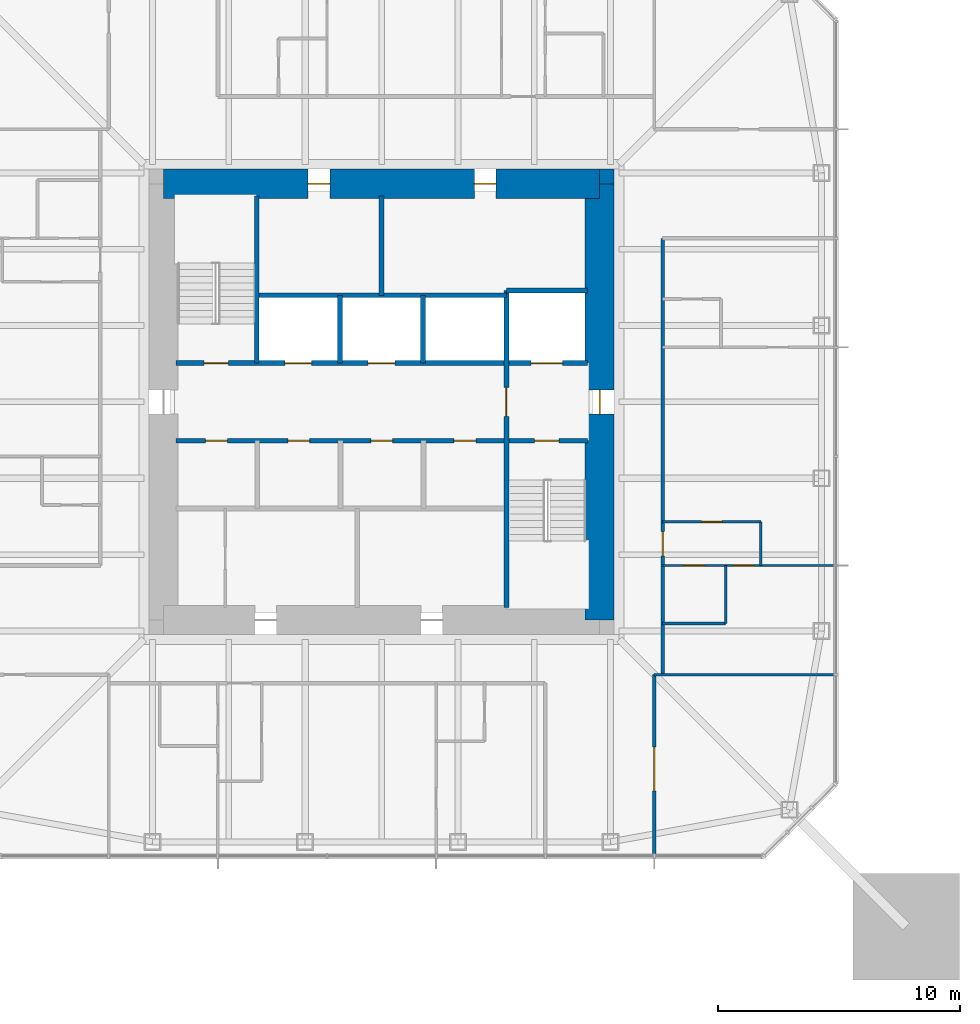
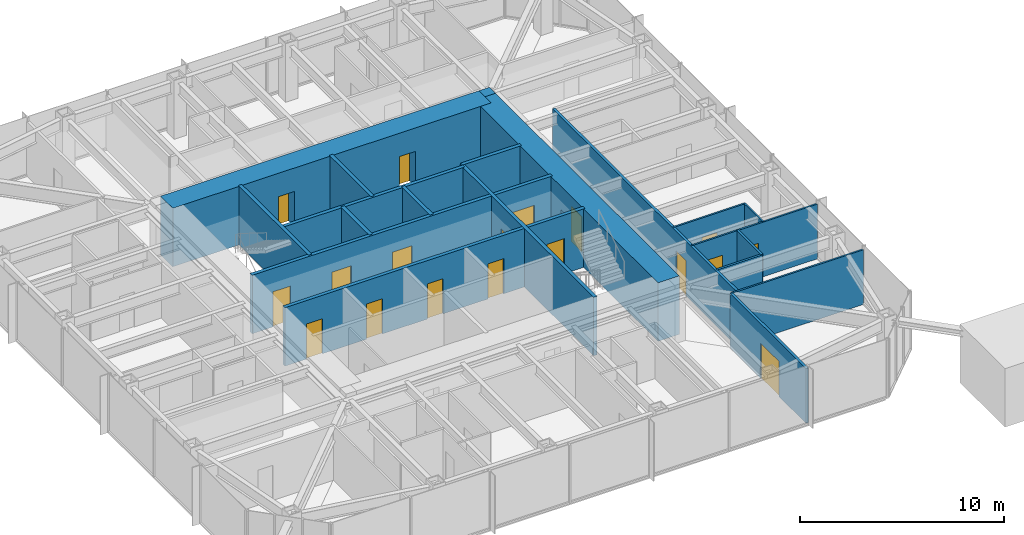
# One storey, part 7 of 11: 20 walls, 18 doors, 18 openings.
"""IFC4 building model written with IfcOpenShell, lengths in metres."""

from ifc_helpers import new_model, si_unit, direction, frame, frame_2d, origin, place, context, subcontext, project, spatial, rectangle, extrude, material, layer, layer_set, type_object, element, fill, save


model = new_model("IFC4")

# Units and contexts
model_context = context("Model", 3, precision=1e-05, world=origin(), true_north=direction((0.0, 1.0)))
body_context = subcontext(model_context, "Body", "Model", "MODEL_VIEW")
ifc_project = project(units=[si_unit("LENGTHUNIT", "METRE"), si_unit("AREAUNIT", "SQUARE_METRE"), si_unit("VOLUMEUNIT", "CUBIC_METRE"), si_unit("PLANEANGLEUNIT", "RADIAN"), si_unit("MASSUNIT", "GRAM", prefix="KILO")], contexts=[model_context])

# Site, building, storey
site_placement = place(None, origin())
site = spatial("IfcSite", under=ifc_project, at=site_placement, CompositionType="ELEMENT")
building_placement = place(site_placement, origin())
building = spatial("IfcBuilding", under=site, at=building_placement, Name="Iwan Alto Co-Living Towers", CompositionType="ELEMENT")
storey_placement = place(building_placement, frame((0.0, 0.0, 181.0)))
storey = spatial("IfcBuildingStorey", under=building, at=storey_placement, Name="L49", CompositionType="ELEMENT", Elevation=181.0)

# Wall, opening, door
ifc_material_1 = material(Name="Gypsum board")
ifc_layer_1 = layer(ifc_material_1, 0.02490234375, Name="Board", Category="Finish")
ifc_material_2 = material(Name="Steel ASTM A1003 ST33H cold-formed studs", Category="steel")
ifc_layer_2 = layer(ifc_material_2, 0.10009765625, Name="Studs", Category="Framing")
ifc_layer_3 = layer(ifc_material_1, 0.02490234375, Name="Board", Category="Finish")
ifc_layer_set_1 = layer_set([ifc_layer_1, ifc_layer_2, ifc_layer_3], Name="CORRIDOR WALL 150")
wall_type_1 = type_object("IfcWallType", Name="CORRIDOR WALL 150", PredefinedType="PARTITIONING", material=ifc_layer_set_1)
wall_1_placement = place(storey_placement, frame((11.60009765625, -11.25, 0.0), z_axis=(0.0, 0.0, 1.0), x_axis=(0.0, 1.0, 0.0)))
wall_1 = element("IfcWall", 1, at=wall_1_placement, inside=storey, type_object=wall_type_1, Name="Partition L49", PredefinedType="PARTITIONING", context=body_context, shape_type="SweptSolid", body=[
    extrude(rectangle(XDim=18.0, YDim=0.14990234375, at=frame_2d((9.0, 0.0))), origin(), (0.0, 0.0, 1.0), 3.27001953125),
])
opening_1_placement = place(wall_1_placement, frame((4.89990234375, 0.0, 0.0)))
opening_1 = element("IfcOpeningElement", 2, at=opening_1_placement, cuts=wall_1, Name="Opening D3", PredefinedType="OPENING", context=body_context, shape_type="SweptSolid", body=[
    extrude(rectangle(XDim=1.0, YDim=2.10009765625, at=frame_2d((0.5, 1.050048828125))), frame((0.0, 0.0849609375, 0.0), z_axis=(0.0, -1.0, 0.0), x_axis=(1.0, 0.0, 0.0)), (0.0, 0.0, 1.0), 0.169921875),
])
ifc_material_3 = material(Name="Steel frame with timber leaf", Category="steel")
door_type_1 = type_object("IfcDoorType", Name="FLAT ENTRANCE DOOR FD30S 1000X2100", OperationType="SINGLE_SWING_LEFT", PredefinedType="DOOR", material=ifc_material_3)
door_1_placement = place(opening_1_placement, frame((1.0, 0.0, 0.0), z_axis=(0.0, 0.0, 1.0), x_axis=(-1.0, 0.0, 0.0)))
door_1 = element("IfcDoor", 3, at=door_1_placement, inside=storey, type_object=door_type_1, Name="Apartment foyer door L49", OperationType="SINGLE_SWING_RIGHT", OverallHeight=2.10009765625, OverallWidth=1.0, PredefinedType="DOOR", context=body_context, shape_type="SweptSolid", body=[
    extrude(rectangle(XDim=1.0, YDim=2.10009765625, at=frame_2d((0.5, 1.050048828125))), frame((0.0, 0.02490234375, 0.0), z_axis=(0.0, -1.0, 0.0), x_axis=(1.0, 0.0, 0.0)), (0.0, 0.0, 1.0), 0.050048828125),
])
fill(opening_1, door_1)

wall_2_placement = place(storey_placement, frame((11.25, -18.68994140625, 0.0), z_axis=(0.0, 0.0, 1.0), x_axis=(0.0, 1.0, 0.0)))
wall_2 = element("IfcWall", 4, at=wall_2_placement, inside=storey, type_object=wall_type_1, Name="Partition L49", PredefinedType="PARTITIONING", context=body_context, shape_type="SweptSolid", body=[
    extrude(rectangle(XDim=7.43994140625, YDim=0.14990234375, at=frame_2d((3.719970703125, 0.0))), origin(), (0.0, 0.0, 1.0), 3.27001953125),
])
opening_2_placement = place(wall_2_placement, frame((2.64501953125, 0.0, 0.0)))
opening_2 = element("IfcOpeningElement", 5, at=opening_2_placement, cuts=wall_2, Name="Opening D9", PredefinedType="OPENING", context=body_context, shape_type="SweptSolid", body=[
    extrude(rectangle(XDim=1.800048828125, YDim=2.10009765625, at=frame_2d((0.89990234375, 1.050048828125))), frame((0.0, 0.0849609375, 0.0), z_axis=(0.0, -1.0, 0.0), x_axis=(1.0, 0.0, 0.0)), (0.0, 0.0, 1.0), 0.169921875),
])
ifc_material_4 = material(Name="Steel frame with timber leaf", Category="steel")
door_type_2 = type_object("IfcDoorType", Name="LOUNGE DOOR FD30S 1800X2100", OperationType="DOUBLE_DOOR_SINGLE_SWING", PredefinedType="DOOR", material=ifc_material_4)
door_2_placement = place(opening_2_placement, frame((1.800048828125, 0.0, 0.0), z_axis=(0.0, 0.0, 1.0), x_axis=(-1.0, 0.0, 0.0)))
door_2 = element("IfcDoor", 6, at=door_2_placement, inside=storey, type_object=door_type_2, Name="Courtyard lounge door L49", OperationType="DOUBLE_DOOR_SINGLE_SWING", OverallHeight=2.10009765625, OverallWidth=1.800048828125, PredefinedType="DOOR", context=body_context, shape_type="SweptSolid", body=[
    extrude(rectangle(XDim=1.800048828125, YDim=2.10009765625, at=frame_2d((0.89990234375, 1.050048828125))), frame((0.0, 0.02490234375, 0.0), z_axis=(0.0, -1.0, 0.0), x_axis=(1.0, 0.0, 0.0)), (0.0, 0.0, 1.0), 0.050048828125),
])
fill(opening_2, door_2)

# Wall
ifc_layer_4 = layer(ifc_material_1, 0.012451171875, Name="Board", Category="Finish")
ifc_layer_5 = layer(ifc_material_2, 0.074951171875, Name="Studs", Category="Framing")
ifc_layer_6 = layer(ifc_material_1, 0.012451171875, Name="Board", Category="Finish")
ifc_layer_set_2 = layer_set([ifc_layer_4, ifc_layer_5, ifc_layer_6], Name="PARTITION 100")
wall_type_2 = type_object("IfcWallType", Name="PARTITION 100", PredefinedType="PARTITIONING", material=ifc_layer_set_2)
wall_3_placement = place(storey_placement, frame((11.25, -11.25, 0.0), z_axis=(0.0, 0.0, 1.0), x_axis=(1.0, 0.0, 0.0)))
element("IfcWall", 7, at=wall_3_placement, inside=storey, type_object=wall_type_2, Name="Partition L49", PredefinedType="PARTITIONING", context=body_context, shape_type="SweptSolid", body=[
    extrude(rectangle(XDim=7.43994140625, YDim=0.10009765625, at=frame_2d((3.719970703125, 0.0))), origin(), (0.0, 0.0, 1.0), 3.27001953125),
])

# Wall, openings, doors
wall_4_placement = place(storey_placement, frame((11.60009765625, -6.75, 0.0), z_axis=(0.0, 0.0, 1.0), x_axis=(1.0, 0.0, 0.0)))
wall_4 = element("IfcWall", 8, at=wall_4_placement, inside=storey, type_object=wall_type_2, Name="Partition L49", PredefinedType="PARTITIONING", context=body_context, shape_type="SweptSolid", body=[
    extrude(rectangle(XDim=7.08984375, YDim=0.10009765625, at=frame_2d((3.544921875, 0.0))), origin(), (0.0, 0.0, 1.0), 3.27001953125),
])
opening_3_placement = place(wall_4_placement, frame((2.89990234375, 0.0, 0.0)))
opening_3 = element("IfcOpeningElement", 9, at=opening_3_placement, cuts=wall_4, Name="Opening D2", PredefinedType="OPENING", context=body_context, shape_type="SweptSolid", body=[
    extrude(rectangle(XDim=0.85009765625, YDim=2.10009765625, at=frame_2d((0.425048828125, 1.050048828125))), frame((0.0, 0.06005859375, 0.0), z_axis=(0.0, -1.0, 0.0), x_axis=(1.0, 0.0, 0.0)), (0.0, 0.0, 1.0), 0.1201171875),
])
opening_4_placement = place(wall_4_placement, frame((0.875, 0.0, 0.0)))
opening_4 = element("IfcOpeningElement", 10, at=opening_4_placement, cuts=wall_4, Name="Opening D2", PredefinedType="OPENING", context=body_context, shape_type="SweptSolid", body=[
    extrude(rectangle(XDim=0.85009765625, YDim=2.10009765625, at=frame_2d((0.425048828125, 1.050048828125))), frame((0.0, 0.06005859375, 0.0), z_axis=(0.0, -1.0, 0.0), x_axis=(1.0, 0.0, 0.0)), (0.0, 0.0, 1.0), 0.1201171875),
])
ifc_material_5 = material(Name="Timber leaf in steel frame", Category="steel")
door_type_3 = type_object("IfcDoorType", Name="ROOM DOOR 850X2100", OperationType="SINGLE_SWING_LEFT", PredefinedType="DOOR", material=ifc_material_5)
door_3_placement = place(opening_3_placement, frame((0.85009765625, 0.0, 0.0), z_axis=(0.0, 0.0, 1.0), x_axis=(-1.0, 0.0, 0.0)))
door_3 = element("IfcDoor", 11, at=door_3_placement, inside=storey, type_object=door_type_3, Name="Bedroom door L49", OperationType="SINGLE_SWING_RIGHT", OverallHeight=2.10009765625, OverallWidth=0.85009765625, PredefinedType="DOOR", context=body_context, shape_type="SweptSolid", body=[
    extrude(rectangle(XDim=0.85009765625, YDim=2.10009765625, at=frame_2d((0.425048828125, 1.050048828125))), frame((0.0, 0.02490234375, 0.0), z_axis=(0.0, -1.0, 0.0), x_axis=(1.0, 0.0, 0.0)), (0.0, 0.0, 1.0), 0.050048828125),
])
fill(opening_3, door_3)
door_4_placement = place(opening_4_placement, frame((0.85009765625, 0.0, 0.0), z_axis=(0.0, 0.0, 1.0), x_axis=(-1.0, 0.0, 0.0)))
door_4 = element("IfcDoor", 12, at=door_4_placement, inside=storey, type_object=door_type_3, Name="Bathroom door L49", OperationType="SINGLE_SWING_RIGHT", OverallHeight=2.10009765625, OverallWidth=0.85009765625, PredefinedType="DOOR", context=body_context, shape_type="SweptSolid", body=[
    extrude(rectangle(XDim=0.85009765625, YDim=2.10009765625, at=frame_2d((0.425048828125, 1.050048828125))), frame((0.0, 0.02490234375, 0.0), z_axis=(0.0, -1.0, 0.0), x_axis=(1.0, 0.0, 0.0)), (0.0, 0.0, 1.0), 0.050048828125),
])
fill(opening_4, door_4)

# Wall, opening, door
wall_5_placement = place(storey_placement, frame((11.60009765625, -4.949951171875, 0.0), z_axis=(0.0, 0.0, 1.0), x_axis=(1.0, 0.0, 0.0)))
wall_5 = element("IfcWall", 13, at=wall_5_placement, inside=storey, type_object=wall_type_2, Name="Partition L49", PredefinedType="PARTITIONING", context=body_context, shape_type="SweptSolid", body=[
    extrude(rectangle(XDim=4.0498046875, YDim=0.10009765625, at=frame_2d((2.02490234375, 0.0))), origin(), (0.0, 0.0, 1.0), 3.27001953125),
])
opening_5_placement = place(wall_5_placement, frame((1.60009765625, 0.0, 0.0)))
opening_5 = element("IfcOpeningElement", 14, at=opening_5_placement, cuts=wall_5, Name="Opening D2", PredefinedType="OPENING", context=body_context, shape_type="SweptSolid", body=[
    extrude(rectangle(XDim=0.85009765625, YDim=2.10009765625, at=frame_2d((0.425048828125, 1.050048828125))), frame((0.0, 0.06005859375, 0.0), z_axis=(0.0, -1.0, 0.0), x_axis=(1.0, 0.0, 0.0)), (0.0, 0.0, 1.0), 0.1201171875),
])
door_5_placement = place(opening_5_placement, origin())
door_5 = element("IfcDoor", 15, at=door_5_placement, inside=storey, type_object=door_type_3, Name="Apartment foyer door L49", OperationType="SINGLE_SWING_LEFT", OverallHeight=2.10009765625, OverallWidth=0.85009765625, PredefinedType="DOOR", context=body_context, shape_type="SweptSolid", body=[
    extrude(rectangle(XDim=0.85009765625, YDim=2.10009765625, at=frame_2d((0.425048828125, 1.050048828125))), frame((0.0, 0.02490234375, 0.0), z_axis=(0.0, -1.0, 0.0), x_axis=(1.0, 0.0, 0.0)), (0.0, 0.0, 1.0), 0.050048828125),
])
fill(opening_5, door_5)

# Wall
wall_6_placement = place(storey_placement, frame((15.64990234375, -6.75, 0.0), z_axis=(0.0, 0.0, 1.0), x_axis=(0.0, 1.0, 0.0)))
element("IfcWall", 16, at=wall_6_placement, inside=storey, type_object=wall_type_2, Name="Partition L49", PredefinedType="PARTITIONING", context=body_context, shape_type="SweptSolid", body=[
    extrude(rectangle(XDim=1.800048828125, YDim=0.10009765625, at=frame_2d((0.89990234375, 0.0))), origin(), (0.0, 0.0, 1.0), 3.27001953125),
])

# Wall, openings, doors
ifc_material_6 = material(Name="Concrete f'c 70 MPa", Category="concrete")
ifc_layer_7 = layer(ifc_material_6, 0.199951171875)
ifc_layer_set_3 = layer_set([ifc_layer_7], Name="SHAFT WALL 200")
wall_type_3 = type_object("IfcWallType", Name="SHAFT WALL 200", PredefinedType="SOLIDWALL", material=ifc_layer_set_3)
wall_7_placement = place(storey_placement, frame((-8.489990234375, -1.60009765625, 0.0), z_axis=(0.0, 0.0, 1.0), x_axis=(1.0, 0.0, 0.0)))
wall_7 = element("IfcWall", 17, at=wall_7_placement, inside=storey, type_object=wall_type_3, Name="Shaft wall L49", PredefinedType="SOLIDWALL", context=body_context, shape_type="SweptSolid", body=[
    extrude(rectangle(XDim=16.97998046875, YDim=0.199951171875, at=frame_2d((8.489990234375, 0.0))), origin(), (0.0, 0.0, 1.0), 3.5),
])
opening_6_placement = place(wall_7_placement, frame((14.81005859375, 0.0, 0.0)))
opening_6 = element("IfcOpeningElement", 18, at=opening_6_placement, cuts=wall_7, Name="Opening D5", PredefinedType="OPENING", context=body_context, shape_type="SweptSolid", body=[
    extrude(rectangle(XDim=1.0, YDim=2.10009765625, at=frame_2d((0.5, 1.050048828125))), frame((0.0, 0.10986328125, 0.0), z_axis=(0.0, -1.0, 0.0), x_axis=(1.0, 0.0, 0.0)), (0.0, 0.0, 1.0), 0.219970703125),
])
opening_7_placement = place(wall_7_placement, frame((1.23193359375, 0.0, 0.0)))
opening_7 = element("IfcOpeningElement", 19, at=opening_7_placement, cuts=wall_7, Name="Opening D15", PredefinedType="OPENING", context=body_context, shape_type="SweptSolid", body=[
    extrude(rectangle(XDim=0.89990234375, YDim=2.10009765625, at=frame_2d((0.449951171875, 1.050048828125))), frame((0.0, 0.10986328125, 0.0), z_axis=(0.0, -1.0, 0.0), x_axis=(1.0, 0.0, 0.0)), (0.0, 0.0, 1.0), 0.219970703125),
])
opening_8_placement = place(wall_7_placement, frame((4.626953125, 0.0, 0.0)))
opening_8 = element("IfcOpeningElement", 20, at=opening_8_placement, cuts=wall_7, Name="Opening D15", PredefinedType="OPENING", context=body_context, shape_type="SweptSolid", body=[
    extrude(rectangle(XDim=0.89990234375, YDim=2.10009765625, at=frame_2d((0.449951171875, 1.050048828125))), frame((0.0, 0.10986328125, 0.0), z_axis=(0.0, -1.0, 0.0), x_axis=(1.0, 0.0, 0.0)), (0.0, 0.0, 1.0), 0.219970703125),
])
opening_9_placement = place(wall_7_placement, frame((8.052001953125, 0.0, 0.0)))
opening_9 = element("IfcOpeningElement", 21, at=opening_9_placement, cuts=wall_7, Name="Opening D15", PredefinedType="OPENING", context=body_context, shape_type="SweptSolid", body=[
    extrude(rectangle(XDim=0.89990234375, YDim=2.10009765625, at=frame_2d((0.449951171875, 1.050048828125))), frame((0.0, 0.10986328125, 0.0), z_axis=(0.0, -1.0, 0.0), x_axis=(1.0, 0.0, 0.0)), (0.0, 0.0, 1.0), 0.219970703125),
])
opening_10_placement = place(wall_7_placement, frame((11.47802734375, 0.0, 0.0)))
opening_10 = element("IfcOpeningElement", 22, at=opening_10_placement, cuts=wall_7, Name="Opening D15", PredefinedType="OPENING", context=body_context, shape_type="SweptSolid", body=[
    extrude(rectangle(XDim=0.89990234375, YDim=2.10009765625, at=frame_2d((0.449951171875, 1.050048828125))), frame((0.0, 0.10986328125, 0.0), z_axis=(0.0, -1.0, 0.0), x_axis=(1.0, 0.0, 0.0)), (0.0, 0.0, 1.0), 0.219970703125),
])
ifc_material_7 = material(Name="Steel frame with timber leaf", Category="steel")
door_type_4 = type_object("IfcDoorType", Name="CORE ROOM DOOR FD60S 900X2100", OperationType="SINGLE_SWING_LEFT", PredefinedType="DOOR", material=ifc_material_7)
door_6_placement = place(opening_7_placement, frame((0.89990234375, 0.0, 0.0), z_axis=(0.0, 0.0, 1.0), x_axis=(-1.0, 0.0, 0.0)))
door_6 = element("IfcDoor", 23, at=door_6_placement, inside=storey, type_object=door_type_4, Name="Comms room door L49", OperationType="SINGLE_SWING_LEFT", OverallHeight=2.10009765625, OverallWidth=0.89990234375, PredefinedType="DOOR", context=body_context, shape_type="SweptSolid", body=[
    extrude(rectangle(XDim=0.89990234375, YDim=2.10009765625, at=frame_2d((0.449951171875, 1.050048828125))), frame((0.0, 0.02490234375, 0.0), z_axis=(0.0, -1.0, 0.0), x_axis=(1.0, 0.0, 0.0)), (0.0, 0.0, 1.0), 0.050048828125),
])
fill(opening_7, door_6)
door_7_placement = place(opening_8_placement, frame((0.89990234375, 0.0, 0.0), z_axis=(0.0, 0.0, 1.0), x_axis=(-1.0, 0.0, 0.0)))
door_7 = element("IfcDoor", 24, at=door_7_placement, inside=storey, type_object=door_type_4, Name="Bulk store door L49", OperationType="SINGLE_SWING_RIGHT", OverallHeight=2.10009765625, OverallWidth=0.89990234375, PredefinedType="DOOR", context=body_context, shape_type="SweptSolid", body=[
    extrude(rectangle(XDim=0.89990234375, YDim=2.10009765625, at=frame_2d((0.449951171875, 1.050048828125))), frame((0.0, 0.02490234375, 0.0), z_axis=(0.0, -1.0, 0.0), x_axis=(1.0, 0.0, 0.0)), (0.0, 0.0, 1.0), 0.050048828125),
])
fill(opening_8, door_7)
door_8_placement = place(opening_9_placement, frame((0.89990234375, 0.0, 0.0), z_axis=(0.0, 0.0, 1.0), x_axis=(-1.0, 0.0, 0.0)))
door_8 = element("IfcDoor", 25, at=door_8_placement, inside=storey, type_object=door_type_4, Name="Bulk store door L49", OperationType="SINGLE_SWING_RIGHT", OverallHeight=2.10009765625, OverallWidth=0.89990234375, PredefinedType="DOOR", context=body_context, shape_type="SweptSolid", body=[
    extrude(rectangle(XDim=0.89990234375, YDim=2.10009765625, at=frame_2d((0.449951171875, 1.050048828125))), frame((0.0, 0.02490234375, 0.0), z_axis=(0.0, -1.0, 0.0), x_axis=(1.0, 0.0, 0.0)), (0.0, 0.0, 1.0), 0.050048828125),
])
fill(opening_9, door_8)
door_9_placement = place(opening_10_placement, frame((0.89990234375, 0.0, 0.0), z_axis=(0.0, 0.0, 1.0), x_axis=(-1.0, 0.0, 0.0)))
door_9 = element("IfcDoor", 26, at=door_9_placement, inside=storey, type_object=door_type_4, Name="Staff WC door L49", OperationType="SINGLE_SWING_RIGHT", OverallHeight=2.10009765625, OverallWidth=0.89990234375, PredefinedType="DOOR", context=body_context, shape_type="SweptSolid", body=[
    extrude(rectangle(XDim=0.89990234375, YDim=2.10009765625, at=frame_2d((0.449951171875, 1.050048828125))), frame((0.0, 0.02490234375, 0.0), z_axis=(0.0, -1.0, 0.0), x_axis=(1.0, 0.0, 0.0)), (0.0, 0.0, 1.0), 0.050048828125),
])
fill(opening_10, door_9)
ifc_material_8 = material(Name="Steel frame with timber leaf", Category="steel")
door_type_5 = type_object("IfcDoorType", Name="STAIR DOOR FD120S 1000X2100", OperationType="SINGLE_SWING_LEFT", PredefinedType="DOOR", material=ifc_material_8)
door_10_placement = place(opening_6_placement, frame((1.0, 0.0, 0.0), z_axis=(0.0, 0.0, 1.0), x_axis=(-1.0, 0.0, 0.0)))
door_10 = element("IfcDoor", 27, at=door_10_placement, inside=storey, type_object=door_type_5, Name="Stair S2 door L49", OperationType="SINGLE_SWING_RIGHT", OverallHeight=2.10009765625, OverallWidth=1.0, PredefinedType="DOOR", context=body_context, shape_type="SweptSolid", body=[
    extrude(rectangle(XDim=1.0, YDim=2.10009765625, at=frame_2d((0.5, 1.050048828125))), frame((0.0, 0.02490234375, 0.0), z_axis=(0.0, -1.0, 0.0), x_axis=(1.0, 0.0, 0.0)), (0.0, 0.0, 1.0), 0.050048828125),
])
fill(opening_6, door_10)

wall_8_placement = place(storey_placement, frame((-8.489990234375, 1.60009765625, 0.0), z_axis=(0.0, 0.0, 1.0), x_axis=(1.0, 0.0, 0.0)))
wall_8 = element("IfcWall", 28, at=wall_8_placement, inside=storey, type_object=wall_type_3, Name="Shaft wall L49", PredefinedType="SOLIDWALL", context=body_context, shape_type="SweptSolid", body=[
    extrude(rectangle(XDim=16.97998046875, YDim=0.199951171875, at=frame_2d((8.489990234375, 0.0))), origin(), (0.0, 0.0, 1.0), 3.5),
])
opening_11_placement = place(wall_8_placement, frame((1.169921875, 0.0, 0.0)))
opening_11 = element("IfcOpeningElement", 29, at=opening_11_placement, cuts=wall_8, Name="Opening D5", PredefinedType="OPENING", context=body_context, shape_type="SweptSolid", body=[
    extrude(rectangle(XDim=1.0, YDim=2.10009765625, at=frame_2d((0.5, 1.050048828125))), frame((0.0, 0.10986328125, 0.0), z_axis=(0.0, -1.0, 0.0), x_axis=(1.0, 0.0, 0.0)), (0.0, 0.0, 1.0), 0.219970703125),
])
opening_12_placement = place(wall_8_placement, frame((4.506103515625, 0.0, 0.0)))
opening_12 = element("IfcOpeningElement", 30, at=opening_12_placement, cuts=wall_8, Name="Opening LD", PredefinedType="OPENING", context=body_context, shape_type="SweptSolid", body=[
    extrude(rectangle(XDim=1.10009765625, YDim=2.10009765625, at=frame_2d((0.550048828125, 1.050048828125))), frame((0.0, 0.10986328125, 0.0), z_axis=(0.0, -1.0, 0.0), x_axis=(1.0, 0.0, 0.0)), (0.0, 0.0, 1.0), 0.219970703125),
])
opening_13_placement = place(wall_8_placement, frame((7.93994140625, 0.0, 0.0)))
opening_13 = element("IfcOpeningElement", 31, at=opening_13_placement, cuts=wall_8, Name="Opening LD", PredefinedType="OPENING", context=body_context, shape_type="SweptSolid", body=[
    extrude(rectangle(XDim=1.10009765625, YDim=2.10009765625, at=frame_2d((0.550048828125, 1.050048828125))), frame((0.0, 0.10986328125, 0.0), z_axis=(0.0, -1.0, 0.0), x_axis=(1.0, 0.0, 0.0)), (0.0, 0.0, 1.0), 0.219970703125),
])
opening_14_placement = place(wall_8_placement, frame((14.659912109375, 0.0, 0.0)))
opening_14 = element("IfcOpeningElement", 32, at=opening_14_placement, cuts=wall_8, Name="Opening LD2", PredefinedType="OPENING", context=body_context, shape_type="SweptSolid", body=[
    extrude(rectangle(XDim=1.300048828125, YDim=2.10009765625, at=frame_2d((0.64990234375, 1.050048828125))), frame((0.0, 0.10986328125, 0.0), z_axis=(0.0, -1.0, 0.0), x_axis=(1.0, 0.0, 0.0)), (0.0, 0.0, 1.0), 0.219970703125),
])
ifc_material_9 = material(Name="Steel frame with timber leaf", Category="steel")
door_type_6 = type_object("IfcDoorType", Name="LIFT LANDING DOOR 1100X2100", OperationType="DOUBLE_DOOR_SLIDING", PredefinedType="DOOR", material=ifc_material_9)
door_11_placement = place(opening_12_placement, origin())
door_11 = element("IfcDoor", 33, at=door_11_placement, inside=storey, type_object=door_type_6, Name="Lift P3-1 landing door L49", OperationType="DOUBLE_DOOR_SLIDING", OverallHeight=2.10009765625, OverallWidth=1.10009765625, PredefinedType="DOOR", context=body_context, shape_type="SweptSolid", body=[
    extrude(rectangle(XDim=1.10009765625, YDim=2.10009765625, at=frame_2d((0.550048828125, 1.050048828125))), frame((0.0, 0.02490234375, 0.0), z_axis=(0.0, -1.0, 0.0), x_axis=(1.0, 0.0, 0.0)), (0.0, 0.0, 1.0), 0.050048828125),
])
fill(opening_12, door_11)
door_12_placement = place(opening_13_placement, origin())
door_12 = element("IfcDoor", 34, at=door_12_placement, inside=storey, type_object=door_type_6, Name="Lift P3-2 landing door L49", OperationType="DOUBLE_DOOR_SLIDING", OverallHeight=2.10009765625, OverallWidth=1.10009765625, PredefinedType="DOOR", context=body_context, shape_type="SweptSolid", body=[
    extrude(rectangle(XDim=1.10009765625, YDim=2.10009765625, at=frame_2d((0.550048828125, 1.050048828125))), frame((0.0, 0.02490234375, 0.0), z_axis=(0.0, -1.0, 0.0), x_axis=(1.0, 0.0, 0.0)), (0.0, 0.0, 1.0), 0.050048828125),
])
fill(opening_13, door_12)
ifc_material_10 = material(Name="Steel frame with timber leaf", Category="steel")
door_type_7 = type_object("IfcDoorType", Name="LIFT LANDING DOOR 1300X2100", OperationType="SLIDING_TO_LEFT", PredefinedType="DOOR", material=ifc_material_10)
door_13_placement = place(opening_14_placement, origin())
door_13 = element("IfcDoor", 35, at=door_13_placement, inside=storey, type_object=door_type_7, Name="Lift FL1 landing door L49", OperationType="SLIDING_TO_LEFT", OverallHeight=2.10009765625, OverallWidth=1.300048828125, PredefinedType="DOOR", context=body_context, shape_type="SweptSolid", body=[
    extrude(rectangle(XDim=1.300048828125, YDim=2.10009765625, at=frame_2d((0.64990234375, 1.050048828125))), frame((0.0, 0.02490234375, 0.0), z_axis=(0.0, -1.0, 0.0), x_axis=(1.0, 0.0, 0.0)), (0.0, 0.0, 1.0), 0.050048828125),
])
fill(opening_14, door_13)
door_14_placement = place(opening_11_placement, origin())
door_14 = element("IfcDoor", 36, at=door_14_placement, inside=storey, type_object=door_type_5, Name="Stair S1 door L49", OperationType="SINGLE_SWING_RIGHT", OverallHeight=2.10009765625, OverallWidth=1.0, PredefinedType="DOOR", context=body_context, shape_type="SweptSolid", body=[
    extrude(rectangle(XDim=1.0, YDim=2.10009765625, at=frame_2d((0.5, 1.050048828125))), frame((0.0, 0.02490234375, 0.0), z_axis=(0.0, -1.0, 0.0), x_axis=(1.0, 0.0, 0.0)), (0.0, 0.0, 1.0), 0.050048828125),
])
fill(opening_11, door_14)

# Walls
wall_9_placement = place(storey_placement, frame((-5.14990234375, 4.39990234375, 0.0), z_axis=(0.0, 0.0, 1.0), x_axis=(1.0, 0.0, 0.0)))
element("IfcWall", 37, at=wall_9_placement, inside=storey, type_object=wall_type_3, Name="Shaft wall L49", PredefinedType="SOLIDWALL", context=body_context, shape_type="SweptSolid", body=[
    extrude(rectangle(XDim=10.2998046875, YDim=0.199951171875, at=frame_2d((5.14990234375, 0.0))), origin(), (0.0, 0.0, 1.0), 3.5),
])
wall_10_placement = place(storey_placement, frame((5.14990234375, 4.60009765625, 0.0), z_axis=(0.0, 0.0, 1.0), x_axis=(1.0, 0.0, 0.0)))
element("IfcWall", 38, at=wall_10_placement, inside=storey, type_object=wall_type_3, Name="Shaft wall L49", PredefinedType="SOLIDWALL", context=body_context, shape_type="SweptSolid", body=[
    extrude(rectangle(XDim=3.340087890625, YDim=0.199951171875, at=frame_2d((1.669921875, 0.0))), origin(), (0.0, 0.0, 1.0), 3.5),
])

# Wall, opening, door
wall_11_placement = place(storey_placement, frame((5.14990234375, -8.489990234375, 0.0), z_axis=(0.0, 0.0, 1.0), x_axis=(0.0, 1.0, 0.0)))
wall_11 = element("IfcWall", 39, at=wall_11_placement, inside=storey, type_object=wall_type_3, Name="Shaft wall L49", PredefinedType="SOLIDWALL", context=body_context, shape_type="SweptSolid", body=[
    extrude(rectangle(XDim=13.090087890625, YDim=0.199951171875, at=frame_2d((6.544921875, 0.0))), origin(), (0.0, 0.0, 1.0), 3.5),
])
opening_15_placement = place(wall_11_placement, frame((7.889892578125, 0.0, 0.0)))
opening_15 = element("IfcOpeningElement", 40, at=opening_15_placement, cuts=wall_11, Name="Opening D6", PredefinedType="OPENING", context=body_context, shape_type="SweptSolid", body=[
    extrude(rectangle(XDim=1.199951171875, YDim=2.10009765625, at=frame_2d((0.60009765625, 1.050048828125))), frame((0.0, 0.10986328125, 0.0), z_axis=(0.0, -1.0, 0.0), x_axis=(1.0, 0.0, 0.0)), (0.0, 0.0, 1.0), 0.219970703125),
])
ifc_material_11 = material(Name="Steel frame with timber leaf", Category="steel")
door_type_8 = type_object("IfcDoorType", Name="LOBBY DOOR FD120S 1200X2100", OperationType="SINGLE_SWING_LEFT", PredefinedType="DOOR", material=ifc_material_11)
door_15_placement = place(opening_15_placement, frame((1.199951171875, 0.0, 0.0), z_axis=(0.0, 0.0, 1.0), x_axis=(-1.0, 0.0, 0.0)))
door_15 = element("IfcDoor", 41, at=door_15_placement, inside=storey, type_object=door_type_8, Name="Firefighting lobby door L49", OperationType="SINGLE_SWING_RIGHT", OverallHeight=2.10009765625, OverallWidth=1.199951171875, PredefinedType="DOOR", context=body_context, shape_type="SweptSolid", body=[
    extrude(rectangle(XDim=1.199951171875, YDim=2.10009765625, at=frame_2d((0.60009765625, 1.050048828125))), frame((0.0, 0.02490234375, 0.0), z_axis=(0.0, -1.0, 0.0), x_axis=(1.0, 0.0, 0.0)), (0.0, 0.0, 1.0), 0.050048828125),
])
fill(opening_15, door_15)

# Walls
wall_12_placement = place(storey_placement, frame((1.717041015625, 1.60009765625, 0.0), z_axis=(0.0, 0.0, 1.0), x_axis=(0.0, 1.0, 0.0)))
element("IfcWall", 42, at=wall_12_placement, inside=storey, type_object=wall_type_3, Name="Shaft wall L49", PredefinedType="SOLIDWALL", context=body_context, shape_type="SweptSolid", body=[
    extrude(rectangle(XDim=2.7998046875, YDim=0.199951171875, at=frame_2d((1.39990234375, 0.0))), origin(), (0.0, 0.0, 1.0), 3.5),
])
wall_13_placement = place(storey_placement, frame((0.0, 4.39990234375, 0.0), z_axis=(0.0, 0.0, 1.0), x_axis=(0.0, 1.0, 0.0)))
element("IfcWall", 43, at=wall_13_placement, inside=storey, type_object=wall_type_3, Name="Shaft wall L49", PredefinedType="SOLIDWALL", context=body_context, shape_type="SweptSolid", body=[
    extrude(rectangle(XDim=4.090087890625, YDim=0.199951171875, at=frame_2d((2.044921875, 0.0))), origin(), (0.0, 0.0, 1.0), 3.5),
])
wall_14_placement = place(storey_placement, frame((-1.717041015625, 1.60009765625, 0.0), z_axis=(0.0, 0.0, 1.0), x_axis=(0.0, 1.0, 0.0)))
element("IfcWall", 44, at=wall_14_placement, inside=storey, type_object=wall_type_3, Name="Shaft wall L49", PredefinedType="SOLIDWALL", context=body_context, shape_type="SweptSolid", body=[
    extrude(rectangle(XDim=2.7998046875, YDim=0.199951171875, at=frame_2d((1.39990234375, 0.0))), origin(), (0.0, 0.0, 1.0), 3.5),
])
wall_15_placement = place(storey_placement, frame((-5.14990234375, 1.60009765625, 0.0), z_axis=(0.0, 0.0, 1.0), x_axis=(0.0, 1.0, 0.0)))
element("IfcWall", 45, at=wall_15_placement, inside=storey, type_object=wall_type_3, Name="Shaft wall L49", PredefinedType="SOLIDWALL", context=body_context, shape_type="SweptSolid", body=[
    extrude(rectangle(XDim=6.889892578125, YDim=0.199951171875, at=frame_2d((3.44482421875, 0.0))), origin(), (0.0, 0.0, 1.0), 3.5),
])
ifc_material_12 = material(Name="Concrete f'c 70 MPa", Category="concrete")
ifc_layer_8 = layer(ifc_material_12, 0.60009765625)
ifc_layer_set_4 = layer_set([ifc_layer_8], Name="T1 CORE CORNER FILL 600")
wall_type_4 = type_object("IfcWallType", Name="T1 CORE CORNER FILL 600", PredefinedType="SOLIDWALL", material=ifc_layer_set_4)
wall_16_placement = place(storey_placement, frame((9.0, 9.300048828125, 0.0), z_axis=(0.0, 0.0, 1.0), x_axis=(1.0, 0.0, 0.0)))
element("IfcWall", 46, at=wall_16_placement, inside=storey, type_object=wall_type_4, Name="T1 core corner NE L49", PredefinedType="SOLIDWALL", context=body_context, shape_type="SweptSolid", body=[
    extrude(rectangle(XDim=0.60009765625, YDim=0.60009765625, at=frame_2d((0.300048828125, 0.0))), origin(), (0.0, 0.0, 1.0), 3.5),
])

# Wall, openings, doors
ifc_material_13 = material(Name="Concrete f'c 70 MPa", Category="concrete")
ifc_layer_9 = layer(ifc_material_13, 1.199951171875)
ifc_layer_set_5 = layer_set([ifc_layer_9], Name="T1 CORE WALL 1200")
wall_type_5 = type_object("IfcWallType", Name="T1 CORE WALL 1200", PredefinedType="SHEAR", material=ifc_layer_set_5)
wall_17_placement = place(storey_placement, frame((9.0, 9.0, 0.0), z_axis=(0.0, 0.0, 1.0), x_axis=(-1.0, 0.0, 0.0)))
wall_17 = element("IfcWall", 47, at=wall_17_placement, inside=storey, type_object=wall_type_5, Name="T1 core wall N L49", PredefinedType="SHEAR", context=body_context, shape_type="SweptSolid", body=[
    extrude(rectangle(XDim=18.0, YDim=1.199951171875, at=frame_2d((9.0, 0.0))), origin(), (0.0, 0.0, 1.0), 3.5),
])
opening_16_placement = place(wall_17_placement, frame((11.125, 0.0, 0.0)))
opening_16 = element("IfcOpeningElement", 48, at=opening_16_placement, cuts=wall_17, Name="Opening D8", PredefinedType="OPENING", context=body_context, shape_type="SweptSolid", body=[
    extrude(rectangle(XDim=0.89990234375, YDim=2.10009765625, at=frame_2d((0.449951171875, 1.050048828125))), frame((0.0, 0.60986328125, 0.0), z_axis=(0.0, -1.0, 0.0), x_axis=(1.0, 0.0, 0.0)), (0.0, 0.0, 1.0), 1.219970703125),
])
opening_17_placement = place(wall_17_placement, frame((4.27490234375, 0.0, 0.0)))
opening_17 = element("IfcOpeningElement", 49, at=opening_17_placement, cuts=wall_17, Name="Opening D8", PredefinedType="OPENING", context=body_context, shape_type="SweptSolid", body=[
    extrude(rectangle(XDim=0.89990234375, YDim=2.10009765625, at=frame_2d((0.449951171875, 1.050048828125))), frame((0.0, 0.60986328125, 0.0), z_axis=(0.0, -1.0, 0.0), x_axis=(1.0, 0.0, 0.0)), (0.0, 0.0, 1.0), 1.219970703125),
])
ifc_material_14 = material(Name="Steel frame with timber leaf", Category="steel")
door_type_9 = type_object("IfcDoorType", Name="RISER DOOR FD120 900X2100", OperationType="SINGLE_SWING_LEFT", PredefinedType="DOOR", material=ifc_material_14)
door_16_placement = place(opening_16_placement, origin())
door_16 = element("IfcDoor", 50, at=door_16_placement, inside=storey, type_object=door_type_9, Name="Electrical riser core door L49", OperationType="SINGLE_SWING_RIGHT", OverallHeight=2.10009765625, OverallWidth=0.89990234375, PredefinedType="DOOR", context=body_context, shape_type="SweptSolid", body=[
    extrude(rectangle(XDim=0.89990234375, YDim=2.10009765625, at=frame_2d((0.449951171875, 1.050048828125))), frame((0.0, 0.02490234375, 0.0), z_axis=(0.0, -1.0, 0.0), x_axis=(1.0, 0.0, 0.0)), (0.0, 0.0, 1.0), 0.050048828125),
])
fill(opening_16, door_16)
door_17_placement = place(opening_17_placement, origin())
door_17 = element("IfcDoor", 51, at=door_17_placement, inside=storey, type_object=door_type_9, Name="Water and drainage riser core door L49", OperationType="SINGLE_SWING_RIGHT", OverallHeight=2.10009765625, OverallWidth=0.89990234375, PredefinedType="DOOR", context=body_context, shape_type="SweptSolid", body=[
    extrude(rectangle(XDim=0.89990234375, YDim=2.10009765625, at=frame_2d((0.449951171875, 1.050048828125))), frame((0.0, 0.02490234375, 0.0), z_axis=(0.0, -1.0, 0.0), x_axis=(1.0, 0.0, 0.0)), (0.0, 0.0, 1.0), 0.050048828125),
])
fill(opening_17, door_17)

# Wall, opening, door
wall_18_placement = place(storey_placement, frame((9.0, -9.0, 0.0), z_axis=(0.0, 0.0, 1.0), x_axis=(0.0, 1.0, 0.0)))
wall_18 = element("IfcWall", 52, at=wall_18_placement, inside=storey, type_object=wall_type_5, Name="T1 core wall E L49", PredefinedType="SHEAR", context=body_context, shape_type="SweptSolid", body=[
    extrude(rectangle(XDim=18.0, YDim=1.199951171875, at=frame_2d((9.0, 0.0))), origin(), (0.0, 0.0, 1.0), 3.5),
])
opening_18_placement = place(wall_18_placement, frame((8.5, 0.0, 0.0)))
opening_18 = element("IfcOpeningElement", 53, at=opening_18_placement, cuts=wall_18, Name="Opening D7", PredefinedType="OPENING", context=body_context, shape_type="SweptSolid", body=[
    extrude(rectangle(XDim=1.0, YDim=2.10009765625, at=frame_2d((0.5, 1.050048828125))), frame((0.0, 0.60986328125, 0.0), z_axis=(0.0, -1.0, 0.0), x_axis=(1.0, 0.0, 0.0)), (0.0, 0.0, 1.0), 1.219970703125),
])
ifc_material_15 = material(Name="Steel frame with timber leaf", Category="steel")
door_type_10 = type_object("IfcDoorType", Name="CORE DOOR FD120S 1000X2100", OperationType="SINGLE_SWING_LEFT", PredefinedType="DOOR", material=ifc_material_15)
door_18_placement = place(opening_18_placement, origin())
door_18 = element("IfcDoor", 54, at=door_18_placement, inside=storey, type_object=door_type_10, Name="Firefighting lobby core door L49", OperationType="SINGLE_SWING_LEFT", OverallHeight=2.10009765625, OverallWidth=1.0, PredefinedType="DOOR", context=body_context, shape_type="SweptSolid", body=[
    extrude(rectangle(XDim=1.0, YDim=2.10009765625, at=frame_2d((0.5, 1.050048828125))), frame((0.0, 0.02490234375, 0.0), z_axis=(0.0, -1.0, 0.0), x_axis=(1.0, 0.0, 0.0)), (0.0, 0.0, 1.0), 0.050048828125),
])
fill(opening_18, door_18)

# Walls
ifc_material_16 = material(Name="Cement board")
ifc_layer_10 = layer(ifc_material_16, 0.012451171875, Name="Board", Category="Finish")
ifc_layer_11 = layer(ifc_material_2, 0.094970703125, Name="Studs", Category="Framing")
ifc_layer_12 = layer(ifc_material_16, 0.012451171875, Name="Board", Category="Finish")
ifc_layer_set_6 = layer_set([ifc_layer_10, ifc_layer_11, ifc_layer_12], Name="WET AREA PARTITION 120")
wall_type_6 = type_object("IfcWallType", Name="WET AREA PARTITION 120", PredefinedType="PARTITIONING", material=ifc_layer_set_6)
wall_19_placement = place(storey_placement, frame((11.60009765625, -9.14990234375, 0.0), z_axis=(0.0, 0.0, 1.0), x_axis=(1.0, 0.0, 0.0)))
element("IfcWall", 55, at=wall_19_placement, inside=storey, type_object=wall_type_6, Name="Partition L49", PredefinedType="PARTITIONING", context=body_context, shape_type="SweptSolid", body=[
    extrude(rectangle(XDim=2.599853515625, YDim=0.1201171875, at=frame_2d((1.2998046875, 0.0))), origin(), (0.0, 0.0, 1.0), 3.27001953125),
])
wall_20_placement = place(storey_placement, frame((14.199951171875, -9.14990234375, 0.0), z_axis=(0.0, 0.0, 1.0), x_axis=(0.0, 1.0, 0.0)))
element("IfcWall", 56, at=wall_20_placement, inside=storey, type_object=wall_type_6, Name="Partition L49", PredefinedType="PARTITIONING", context=body_context, shape_type="SweptSolid", body=[
    extrude(rectangle(XDim=2.39990234375, YDim=0.1201171875, at=frame_2d((1.199951171875, 0.0))), origin(), (0.0, 0.0, 1.0), 3.27001953125),
])

save(model, "model.ifc")
